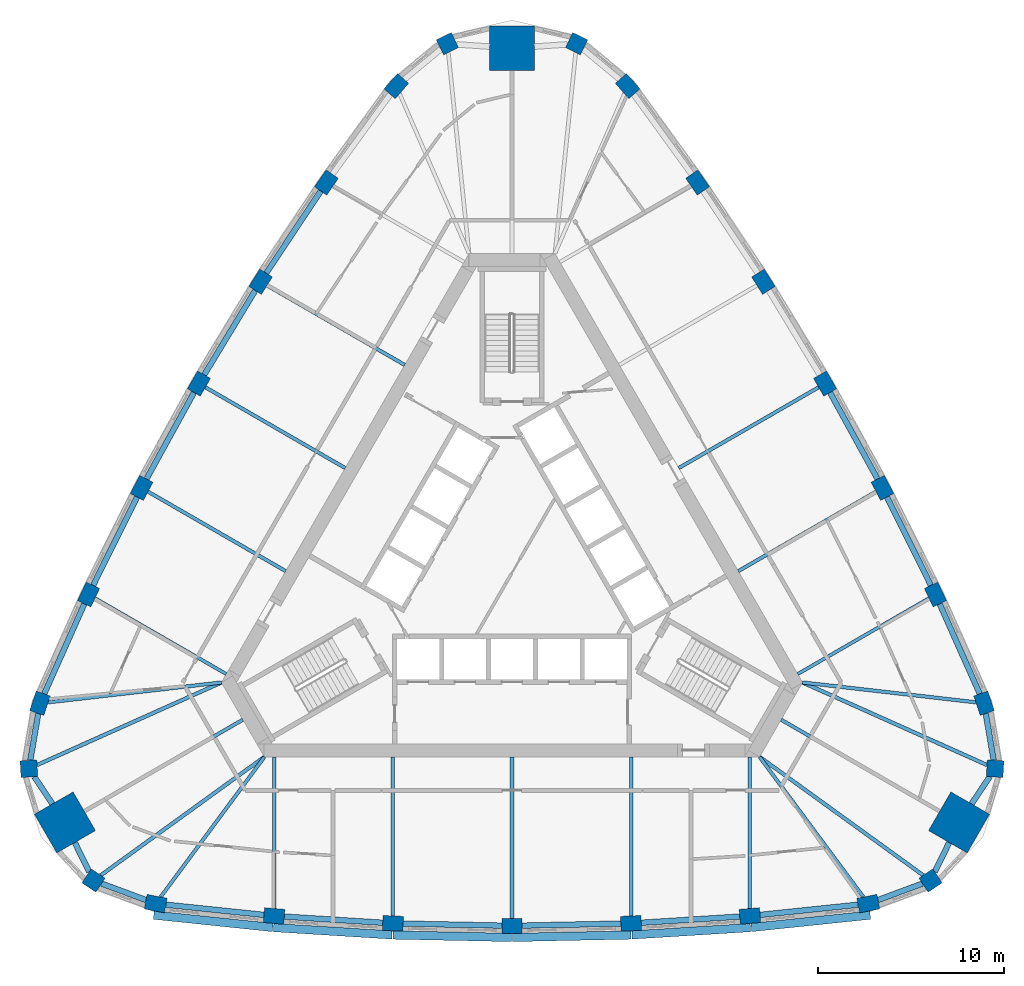
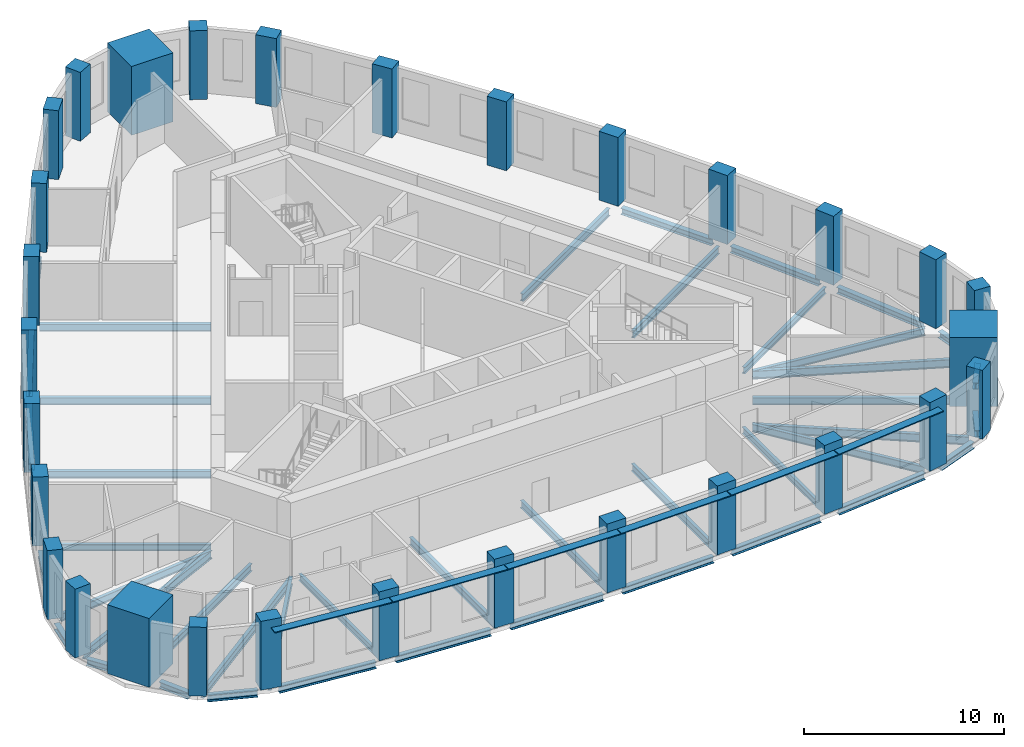
# One storey, part 1 of 10: 44 beams, 30 columns, 6 members.
"""IFC4 building model written with IfcOpenShell, lengths in metres."""

from ifc_helpers import new_model, si_unit, direction, frame, origin, origin_2d, place, context, subcontext, project, spatial, rectangle, i_section, extrude, material, material_profile, profile_set, type_object, element, save


model = new_model("IFC4")

# Units and contexts
model_context = context("Model", 3, precision=1e-05, world=origin(), true_north=direction((0.0, 1.0)))
body_context = subcontext(model_context, "Body", "Model", "MODEL_VIEW")
ifc_project = project(units=[si_unit("LENGTHUNIT", "METRE"), si_unit("AREAUNIT", "SQUARE_METRE"), si_unit("VOLUMEUNIT", "CUBIC_METRE"), si_unit("PLANEANGLEUNIT", "RADIAN"), si_unit("MASSUNIT", "GRAM", prefix="KILO")], contexts=[model_context])

# Site, building, storey
site_placement = place(None, origin())
site = spatial("IfcSite", under=ifc_project, at=site_placement, CompositionType="ELEMENT")
building_placement = place(site_placement, origin())
building = spatial("IfcBuilding", under=site, at=building_placement, Name="Mestral Congress Tower", CompositionType="ELEMENT")
storey_placement = place(building_placement, frame((0.0, 0.0, 239.39990234375)))
storey = spatial("IfcBuildingStorey", under=building, at=storey_placement, Name="L56", CompositionType="ELEMENT", Elevation=239.39990234375)

# Columns
ifc_material_1 = material(Name="Concrete C60/75", Category="concrete")
ifc_material_profile_1 = material_profile(ifc_material_1, rectangle(XDim=1.10009765625, YDim=0.800048828125, at=origin_2d()), Name="RC 1100x800")
ifc_profile_set_1 = profile_set([ifc_material_profile_1], Name="Concrete C60/75")
column_type_1 = type_object("IfcColumnType", Name="Column RC 1100x800 C60/75", PredefinedType="COLUMN", material=ifc_profile_set_1)
for number, where, z_axis, x_axis, name in (
    (1, (-19.150390625, -18.23681640625, 0.0), (0.0, 0.0, 1.0), (0.981324571854, -0.192359259395, 0.0), "COL-L56-C4-S00"),
    (2, (-12.785400390625, -18.899658203125, 0.0), (0.0, 0.0, 1.0), (0.996556680667, -0.082914306473, 0.0), "COL-L56-C4-S01"),
    (3, (-6.398193359375, -19.2978515625, 0.0), (0.0, 0.0, 1.0), (0.999138835542, -0.041492015025, 0.0), "COL-L56-C4-S02"),
    (4, (0.0, -19.4306640625, 0.0), (0.0, 0.0, 1.0), (1.0, 0.0, 0.0), "COL-L56-C4-S03"),
    (5, (6.398193359375, -19.2978515625, 0.0), (0.0, 0.0, 1.0), (0.999138835542, 0.041492015025, 0.0), "COL-L56-C4-S04"),
    (6, (12.785400390625, -18.899658203125, 0.0), (0.0, 0.0, 1.0), (0.996556680667, 0.082914306473, 0.0), "COL-L56-C4-S05"),
    (7, (19.150390625, -18.23681640625, 0.0), (0.0, 0.0, 1.0), (0.981324571854, 0.192359259395, 0.0), "COL-L56-C4-S06"),
    (8, (25.368896484375, -7.46630859375, 0.0), (0.0, 0.0, 1.0), (-0.324074280638, 0.946031638281, 0.0), "COL-L56-C4-E00"),
    (9, (22.76025390625, -1.62255859375, 0.0), (0.0, 0.0, 1.0), (-0.426472444591, 0.904500555005, 0.0), "COL-L56-C4-E01"),
    (10, (19.91162109375, 4.10791015625, 0.0), (0.0, 0.0, 1.0), (-0.463636278705, 0.886025621, 0.0), "COL-L56-C4-E02"),
    (11, (16.827392578125, 9.71533203125, 0.0), (0.0, 0.0, 1.0), (-0.5, 0.866025403784, 0.0), "COL-L56-C4-E03"),
    (12, (13.51318359375, 15.18994140625, 0.0), (0.0, 0.0, 1.0), (-0.535502556837, 0.844533605975, 0.0), "COL-L56-C4-E04"),
    (13, (9.974853515625, 20.522216796875, 0.0), (0.0, 0.0, 1.0), (-0.570084236076, 0.821586248532, 0.0), "COL-L56-C4-E05"),
    (14, (6.218505859375, 25.703125, 0.0), (0.0, 0.0, 1.0), (-0.657250291216, 0.753672378886, 0.0), "COL-L56-C4-E06"),
    (15, (-6.218505859375, 25.703125, 0.0), (0.0, 0.0, 1.0), (-0.657250291216, -0.753672378886, 0.0), "COL-L56-C4-W00"),
    (16, (-9.974853515625, 20.522216796875, 0.0), (0.0, 0.0, 1.0), (-0.570084236076, -0.821586248532, 0.0), "COL-L56-C4-W01"),
    (17, (-13.51318359375, 15.18994140625, 0.0), (0.0, 0.0, 1.0), (-0.535502556837, -0.844533605975, 0.0), "COL-L56-C4-W02"),
    (18, (-16.827392578125, 9.71533203125, 0.0), (0.0, 0.0, 1.0), (-0.5, -0.866025403784, 0.0), "COL-L56-C4-W03"),
    (19, (-19.91162109375, 4.10791015625, 0.0), (0.0, 0.0, 1.0), (-0.463636278705, -0.886025621, 0.0), "COL-L56-C4-W04"),
    (20, (-22.76025390625, -1.62255859375, 0.0), (0.0, 0.0, 1.0), (-0.426472444591, -0.904500555005, 0.0), "COL-L56-C4-W05"),
    (21, (-25.368896484375, -7.46630859375, 0.0), (0.0, 0.0, 1.0), (-0.324074280638, -0.946031638281, 0.0), "COL-L56-C4-W06"),
):
    element("IfcColumn", number, at=place(storey_placement, frame(where, z_axis=z_axis, x_axis=x_axis)), inside=storey, type_object=column_type_1, Name=name, PredefinedType="COLUMN", context=body_context, shape_type="SweptSolid", body=[
        extrude(rectangle(XDim=1.10009765625, YDim=0.800048828125, at=origin_2d()), origin(), (0.0, 0.0, 1.0), 4.2001953125),
    ])
ifc_material_profile_2 = material_profile(ifc_material_1, rectangle(XDim=0.89990234375, YDim=0.89990234375, at=origin_2d()), Name="RC 900x900")
ifc_profile_set_2 = profile_set([ifc_material_profile_2], Name="Concrete C60/75")
column_type_2 = type_object("IfcColumnType", Name="Column RC 900x900 C60/75", PredefinedType="COLUMN", material=ifc_profile_set_2)
for number, where, z_axis, x_axis, name in (
    (22, (22.494384765625, -16.99658203125, 0.0), (0.0, 0.0, 1.0), (0.833238868178, 0.552913183563, 0.0), "COL-L56-C4-SE1"),
    (23, (25.966552734375, -10.982421875, 0.0), (0.0, 0.0, 1.0), (0.062217428964, 0.998062619044, 0.0), "COL-L56-C4-SE3"),
    (24, (3.47216796875, 27.97900390625, 0.0), (0.0, 0.0, 1.0), (-0.895456297142, 0.445149435481, 0.0), "COL-L56-C4-N1"),
    (25, (-3.47216796875, 27.97900390625, 0.0), (0.0, 0.0, 1.0), (-0.895456297142, -0.445149435481, 0.0), "COL-L56-C4-N3"),
    (26, (-25.966552734375, -10.982421875, 0.0), (0.0, 0.0, 1.0), (0.062217428964, -0.998062619044, 0.0), "COL-L56-C4-SW1"),
    (27, (-22.494384765625, -16.99658203125, 0.0), (0.0, 0.0, 1.0), (0.833238868178, -0.552913183563, 0.0), "COL-L56-C4-SW3"),
):
    element("IfcColumn", number, at=place(storey_placement, frame(where, z_axis=z_axis, x_axis=x_axis)), inside=storey, type_object=column_type_2, Name=name, PredefinedType="COLUMN", context=body_context, shape_type="SweptSolid", body=[
        extrude(rectangle(XDim=0.89990234375, YDim=0.89990234375, at=origin_2d()), origin(), (0.0, 0.0, 1.0), 4.2001953125),
    ])
ifc_material_2 = material(Name="Concrete C70/85", Category="concrete")
ifc_material_profile_3 = material_profile(ifc_material_2, rectangle(XDim=2.39990234375, YDim=2.39990234375, at=origin_2d()), Name="RC 2400x2400")
ifc_profile_set_3 = profile_set([ifc_material_profile_3], Name="Concrete C70/85")
column_type_3 = type_object("IfcColumnType", Name="Mega column RC 2400x2400 C70/85", PredefinedType="COLUMN", material=ifc_profile_set_3)
for number, where, z_axis, x_axis, name in (
    (28, (24.02734375, -13.872314453125, 0.0), (0.0, 0.0, 1.0), (0.866025403784, -0.5, 0.0), "COL-L56-PY4-SE"),
    (29, (0.0, 27.744384765625, 0.0), (0.0, 0.0, 1.0), (0.0, 1.0, 0.0), "COL-L56-PY4-N"),
    (30, (-24.02734375, -13.872314453125, 0.0), (0.0, 0.0, 1.0), (-0.866025403784, -0.5, 0.0), "COL-L56-PY4-SW"),
):
    element("IfcColumn", number, at=place(storey_placement, frame(where, z_axis=z_axis, x_axis=x_axis)), inside=storey, type_object=column_type_3, Name=name, PredefinedType="COLUMN", context=body_context, shape_type="SweptSolid", body=[
        extrude(rectangle(XDim=2.39990234375, YDim=2.39990234375, at=origin_2d()), origin(), (0.0, 0.0, 1.0), 4.2001953125),
    ])

# Members
ifc_material_3 = material(Name="Glazed ceramic", Category="masonry")
ifc_material_profile_4 = material_profile(ifc_material_3, rectangle(XDim=0.449951171875, YDim=0.06005859375, at=origin_2d()), Name="Ceramic blade 450 x 60")
ifc_profile_set_4 = profile_set([ifc_material_profile_4], Name="Glazed ceramic")
member_type = type_object("IfcMemberType", Name="Facade sunshade blade 450 x 60", PredefinedType="USERDEFINED", material=ifc_profile_set_4)
member_1_placement = place(storey_placement, frame((-19.251708984375, -18.8544921875, 3.68017578125), z_axis=(0.994617919471, -0.103610782581, 0.0), x_axis=(0.103610782581, 0.994617919471, 0.0)))
element("IfcMember", 31, at=member_1_placement, inside=storey, type_object=member_type, Name="Sunshade F0-00", ObjectType="SUNSHADE", PredefinedType="USERDEFINED", context=body_context, shape_type="SweptSolid", body=[
    extrude(rectangle(XDim=0.449951171875, YDim=0.06005859375, at=origin_2d()), origin(), (0.0, 0.0, 1.0), 6.42578125),
])
member_2_placement = place(storey_placement, frame((-12.8134765625, -19.524169921875, 3.68017578125), z_axis=(0.99806373271, -0.062199561482, 0.0), x_axis=(0.062199561482, 0.99806373271, 0.0)))
element("IfcMember", 32, at=member_2_placement, inside=storey, type_object=member_type, Name="Sunshade F0-01", ObjectType="SUNSHADE", PredefinedType="USERDEFINED", context=body_context, shape_type="SweptSolid", body=[
    extrude(rectangle(XDim=0.449951171875, YDim=0.06005859375, at=origin_2d()), origin(), (0.0, 0.0, 1.0), 6.37841796875),
])
for number, where, z_axis, x_axis, name in (
    (33, (-6.400390625, -19.9228515625, 3.68017578125), (0.99978476383, -0.0207467109, 0.0), (0.0207467109, 0.99978476383, 0.0), "Sunshade F0-02"),
    (34, (0.023681640625, -20.05517578125, 3.68017578125), (0.99978476383, 0.0207467109, 0.0), (-0.0207467109, 0.99978476383, 0.0), "Sunshade F0-03"),
):
    element("IfcMember", number, at=place(storey_placement, frame(where, z_axis=z_axis, x_axis=x_axis)), inside=storey, type_object=member_type, Name=name, ObjectType="SUNSHADE", PredefinedType="USERDEFINED", context=body_context, shape_type="SweptSolid", body=[
        extrude(rectangle(XDim=0.449951171875, YDim=0.06005859375, at=origin_2d()), origin(), (0.0, 0.0, 1.0), 6.378173828125),
    ])
member_3_placement = place(storey_placement, frame((6.447509765625, -19.9208984375, 3.68017578125), z_axis=(0.99806373271, 0.062199561482, 0.0), x_axis=(-0.062199561482, 0.99806373271, 0.0)))
element("IfcMember", 35, at=member_3_placement, inside=storey, type_object=member_type, Name="Sunshade F0-04", ObjectType="SUNSHADE", PredefinedType="USERDEFINED", context=body_context, shape_type="SweptSolid", body=[
    extrude(rectangle(XDim=0.449951171875, YDim=0.06005859375, at=origin_2d()), origin(), (0.0, 0.0, 1.0), 6.37841796875),
])
member_4_placement = place(storey_placement, frame((12.860595703125, -19.520263671875, 3.68017578125), z_axis=(0.994617919471, 0.103610782581, 0.0), x_axis=(-0.103610782581, 0.994617919471, 0.0)))
element("IfcMember", 36, at=member_4_placement, inside=storey, type_object=member_type, Name="Sunshade F0-05", ObjectType="SUNSHADE", PredefinedType="USERDEFINED", context=body_context, shape_type="SweptSolid", body=[
    extrude(rectangle(XDim=0.449951171875, YDim=0.06005859375, at=origin_2d()), origin(), (0.0, 0.0, 1.0), 6.42578125),
])

# Beams
ifc_material_4 = material(Name="Steel S355", Category="steel")
ifc_material_profile_5 = material_profile(ifc_material_4, i_section(OverallWidth=0.179931640625, OverallDepth=0.39990234375, WebThickness=0.008544921875, FlangeThickness=0.013427734375, FilletRadius=0.02099609375, at=origin_2d()), Name="IPE 400")
ifc_profile_set_5 = profile_set([ifc_material_profile_5], Name="Steel S355")
beam_type_1 = type_object("IfcBeamType", Name="Floor beam IPE 400 S355", PredefinedType="BEAM", material=ifc_profile_set_5)
for number, where, z_axis, x_axis, name in (
    (37, (-12.785400390625, -18.498291015625, -0.449951171875), (0.0, 1.0, 0.0), (-1.0, 0.0, 0.0), "BM-L56-RB4-S01"),
    (38, (12.785400390625, -18.498291015625, -0.449951171875), (0.0, 1.0, 0.0), (-1.0, 0.0, 0.0), "BM-L56-RB4-S05"),
):
    element("IfcBeam", number, at=place(storey_placement, frame(where, z_axis=z_axis, x_axis=x_axis)), inside=storey, type_object=beam_type_1, Name=name, PredefinedType="BEAM", context=body_context, shape_type="SweptSolid", body=[
        extrude(i_section(OverallWidth=0.179931640625, OverallDepth=0.39990234375, WebThickness=0.008544921875, FlangeThickness=0.013427734375, FilletRadius=0.02099609375, at=origin_2d()), origin(), (0.0, 0.0, 1.0), 8.148193359375),
    ])
for number, where, z_axis, x_axis, name in (
    (39, (22.41259765625, -1.8232421875, -0.449951171875), (-0.866021929094, -0.500006018292, 0.0), (0.500006018292, -0.866021929094, 0.0), "BM-L56-RB4-E01"),
    (40, (-22.41259765625, -1.8232421875, -0.449951171875), (0.866021929094, -0.500006018292, 0.0), (0.500006018292, 0.866021929094, 0.0), "BM-L56-RB4-W05"),
):
    element("IfcBeam", number, at=place(storey_placement, frame(where, z_axis=z_axis, x_axis=x_axis)), inside=storey, type_object=beam_type_1, Name=name, PredefinedType="BEAM", context=body_context, shape_type="SweptSolid", body=[
        extrude(i_section(OverallWidth=0.179931640625, OverallDepth=0.39990234375, WebThickness=0.008544921875, FlangeThickness=0.013427734375, FilletRadius=0.02099609375, at=origin_2d()), origin(), (0.0, 0.0, 1.0), 8.1484375),
    ])
ifc_material_profile_6 = material_profile(ifc_material_4, i_section(OverallWidth=0.18994140625, OverallDepth=0.449951171875, WebThickness=0.009521484375, FlangeThickness=0.0146484375, FilletRadius=0.02099609375, at=origin_2d()), Name="IPE 450")
ifc_profile_set_6 = profile_set([ifc_material_profile_6], Name="Steel S355")
beam_type_2 = type_object("IfcBeamType", Name="Floor beam IPE 450 S355", PredefinedType="BEAM", material=ifc_profile_set_6)
beam_1_placement = place(storey_placement, frame((-18.88671875, -17.880859375, -0.474853515625), z_axis=(0.595263059859, 0.803530888994, 0.0), x_axis=(-0.803530888994, 0.595263059859, 0.0)))
element("IfcBeam", 41, at=beam_1_placement, inside=storey, type_object=beam_type_2, Name="BM-L56-RB4-S00", PredefinedType="BEAM", context=body_context, shape_type="SweptSolid", body=[
    extrude(i_section(OverallWidth=0.18994140625, OverallDepth=0.449951171875, WebThickness=0.009521484375, FlangeThickness=0.0146484375, FilletRadius=0.02099609375, at=origin_2d()), origin(), (0.0, 0.0, 1.0), 9.3720703125),
])
beam_2_placement = place(storey_placement, frame((-6.398193359375, -18.8974609375, -0.474853515625), z_axis=(0.0, 1.0, 0.0), x_axis=(-1.0, 0.0, 0.0)))
element("IfcBeam", 42, at=beam_2_placement, inside=storey, type_object=beam_type_2, Name="BM-L56-RB4-S02", PredefinedType="BEAM", context=body_context, shape_type="SweptSolid", body=[
    extrude(i_section(OverallWidth=0.18994140625, OverallDepth=0.449951171875, WebThickness=0.009521484375, FlangeThickness=0.0146484375, FilletRadius=0.02099609375, at=origin_2d()), origin(), (0.0, 0.0, 1.0), 8.54736328125),
])
beam_3_placement = place(storey_placement, frame((0.0, -19.030517578125, -0.474853515625), z_axis=(0.0, 1.0, 0.0), x_axis=(-1.0, 0.0, 0.0)))
element("IfcBeam", 43, at=beam_3_placement, inside=storey, type_object=beam_type_2, Name="BM-L56-RB4-S03", PredefinedType="BEAM", context=body_context, shape_type="SweptSolid", body=[
    extrude(i_section(OverallWidth=0.18994140625, OverallDepth=0.449951171875, WebThickness=0.009521484375, FlangeThickness=0.0146484375, FilletRadius=0.02099609375, at=origin_2d()), origin(), (0.0, 0.0, 1.0), 8.680419921875),
])
beam_4_placement = place(storey_placement, frame((6.398193359375, -18.8974609375, -0.474853515625), z_axis=(0.0, 1.0, 0.0), x_axis=(-1.0, 0.0, 0.0)))
element("IfcBeam", 44, at=beam_4_placement, inside=storey, type_object=beam_type_2, Name="BM-L56-RB4-S04", PredefinedType="BEAM", context=body_context, shape_type="SweptSolid", body=[
    extrude(i_section(OverallWidth=0.18994140625, OverallDepth=0.449951171875, WebThickness=0.009521484375, FlangeThickness=0.0146484375, FilletRadius=0.02099609375, at=origin_2d()), origin(), (0.0, 0.0, 1.0), 8.54736328125),
])
beam_5_placement = place(storey_placement, frame((18.88671875, -17.880859375, -0.474853515625), z_axis=(-0.595263059859, 0.803530888994, 0.0), x_axis=(-0.803530888994, -0.595263059859, 0.0)))
element("IfcBeam", 45, at=beam_5_placement, inside=storey, type_object=beam_type_2, Name="BM-L56-RB4-S06", PredefinedType="BEAM", context=body_context, shape_type="SweptSolid", body=[
    extrude(i_section(OverallWidth=0.18994140625, OverallDepth=0.449951171875, WebThickness=0.009521484375, FlangeThickness=0.0146484375, FilletRadius=0.02099609375, at=origin_2d()), origin(), (0.0, 0.0, 1.0), 9.3720703125),
])
beam_6_placement = place(storey_placement, frame((22.98828125, -13.272216796875, -0.474853515625), z_axis=(-0.866021631874, 0.500006533084, 0.0), x_axis=(-0.500006533084, -0.866021631874, 0.0)))
element("IfcBeam", 46, at=beam_6_placement, inside=storey, type_object=beam_type_2, Name="BM-L56-RB4-SE", PredefinedType="BEAM", context=body_context, shape_type="SweptSolid", body=[
    extrude(i_section(OverallWidth=0.18994140625, OverallDepth=0.449951171875, WebThickness=0.009521484375, FlangeThickness=0.0146484375, FilletRadius=0.02099609375, at=origin_2d()), origin(), (0.0, 0.0, 1.0), 9.844482421875),
])
beam_7_placement = place(storey_placement, frame((24.9287109375, -7.416015625, -0.474853515625), z_axis=(-0.99351166529, 0.11373025513, 0.0), x_axis=(-0.11373025513, -0.99351166529, 0.0)))
element("IfcBeam", 47, at=beam_7_placement, inside=storey, type_object=beam_type_2, Name="BM-L56-RB4-E00", PredefinedType="BEAM", context=body_context, shape_type="SweptSolid", body=[
    extrude(i_section(OverallWidth=0.18994140625, OverallDepth=0.449951171875, WebThickness=0.009521484375, FlangeThickness=0.0146484375, FilletRadius=0.02099609375, at=origin_2d()), origin(), (0.0, 0.0, 1.0), 9.372314453125),
])
beam_8_placement = place(storey_placement, frame((19.564697265625, 3.90771484375, -0.474853515625), z_axis=(-0.866028621479, -0.499994426748, 0.0), x_axis=(0.499994426748, -0.866028621479, 0.0)))
element("IfcBeam", 48, at=beam_8_placement, inside=storey, type_object=beam_type_2, Name="BM-L56-RB4-E02", PredefinedType="BEAM", context=body_context, shape_type="SweptSolid", body=[
    extrude(i_section(OverallWidth=0.18994140625, OverallDepth=0.449951171875, WebThickness=0.009521484375, FlangeThickness=0.0146484375, FilletRadius=0.02099609375, at=origin_2d()), origin(), (0.0, 0.0, 1.0), 8.54736328125),
])
beam_9_placement = place(storey_placement, frame((16.48095703125, 9.515380859375, -0.474853515625), z_axis=(-0.866022596503, -0.500004862322, 0.0), x_axis=(0.500004862322, -0.866022596503, 0.0)))
element("IfcBeam", 49, at=beam_9_placement, inside=storey, type_object=beam_type_2, Name="BM-L56-RB4-E03", PredefinedType="BEAM", context=body_context, shape_type="SweptSolid", body=[
    extrude(i_section(OverallWidth=0.18994140625, OverallDepth=0.449951171875, WebThickness=0.009521484375, FlangeThickness=0.0146484375, FilletRadius=0.02099609375, at=origin_2d()), origin(), (0.0, 0.0, 1.0), 8.6806640625),
])
beam_10_placement = place(storey_placement, frame((-13.16650390625, 14.98974609375, -0.474853515625), z_axis=(0.866028621479, -0.499994426748, 0.0), x_axis=(0.499994426748, 0.866028621479, 0.0)))
element("IfcBeam", 50, at=beam_10_placement, inside=storey, type_object=beam_type_2, Name="BM-L56-RB4-W02", PredefinedType="BEAM", context=body_context, shape_type="SweptSolid", body=[
    extrude(i_section(OverallWidth=0.18994140625, OverallDepth=0.449951171875, WebThickness=0.009521484375, FlangeThickness=0.0146484375, FilletRadius=0.02099609375, at=origin_2d()), origin(), (0.0, 0.0, 1.0), 8.54736328125),
])
beam_11_placement = place(storey_placement, frame((-16.48095703125, 9.515380859375, -0.474853515625), z_axis=(0.866022596503, -0.500004862322, 0.0), x_axis=(0.500004862322, 0.866022596503, 0.0)))
element("IfcBeam", 51, at=beam_11_placement, inside=storey, type_object=beam_type_2, Name="BM-L56-RB4-W03", PredefinedType="BEAM", context=body_context, shape_type="SweptSolid", body=[
    extrude(i_section(OverallWidth=0.18994140625, OverallDepth=0.449951171875, WebThickness=0.009521484375, FlangeThickness=0.0146484375, FilletRadius=0.02099609375, at=origin_2d()), origin(), (0.0, 0.0, 1.0), 8.6806640625),
])
beam_12_placement = place(storey_placement, frame((-19.564697265625, 3.90771484375, -0.474853515625), z_axis=(0.866028621479, -0.499994426748, 0.0), x_axis=(0.499994426748, 0.866028621479, 0.0)))
element("IfcBeam", 52, at=beam_12_placement, inside=storey, type_object=beam_type_2, Name="BM-L56-RB4-W04", PredefinedType="BEAM", context=body_context, shape_type="SweptSolid", body=[
    extrude(i_section(OverallWidth=0.18994140625, OverallDepth=0.449951171875, WebThickness=0.009521484375, FlangeThickness=0.0146484375, FilletRadius=0.02099609375, at=origin_2d()), origin(), (0.0, 0.0, 1.0), 8.54736328125),
])
beam_13_placement = place(storey_placement, frame((-24.9287109375, -7.416015625, -0.474853515625), z_axis=(0.99351166529, 0.11373025513, 0.0), x_axis=(-0.11373025513, 0.99351166529, 0.0)))
element("IfcBeam", 53, at=beam_13_placement, inside=storey, type_object=beam_type_2, Name="BM-L56-RB4-W06", PredefinedType="BEAM", context=body_context, shape_type="SweptSolid", body=[
    extrude(i_section(OverallWidth=0.18994140625, OverallDepth=0.449951171875, WebThickness=0.009521484375, FlangeThickness=0.0146484375, FilletRadius=0.02099609375, at=origin_2d()), origin(), (0.0, 0.0, 1.0), 9.372314453125),
])
beam_14_placement = place(storey_placement, frame((-22.98828125, -13.272216796875, -0.474853515625), z_axis=(0.866021631874, 0.500006533084, 0.0), x_axis=(-0.500006533084, 0.866021631874, 0.0)))
element("IfcBeam", 54, at=beam_14_placement, inside=storey, type_object=beam_type_2, Name="BM-L56-RB4-SW", PredefinedType="BEAM", context=body_context, shape_type="SweptSolid", body=[
    extrude(i_section(OverallWidth=0.18994140625, OverallDepth=0.449951171875, WebThickness=0.009521484375, FlangeThickness=0.0146484375, FilletRadius=0.02099609375, at=origin_2d()), origin(), (0.0, 0.0, 1.0), 9.844482421875),
])
ifc_material_profile_7 = material_profile(ifc_material_4, i_section(OverallWidth=0.199951171875, OverallDepth=0.5, WebThickness=0.01025390625, FlangeThickness=0.01611328125, FilletRadius=0.02099609375, at=origin_2d()), Name="IPE 500")
ifc_profile_set_7 = profile_set([ifc_material_profile_7], Name="Steel S355")
beam_type_3 = type_object("IfcBeamType", Name="Floor beam IPE 500 S355", PredefinedType="BEAM", material=ifc_profile_set_7)
beam_15_placement = place(storey_placement, frame((22.10498046875, -16.71484375, -0.5), z_axis=(-0.810186242112, 0.586172545496, 0.0), x_axis=(-0.586172545496, -0.810186242112, 0.0)))
element("IfcBeam", 55, at=beam_15_placement, inside=storey, type_object=beam_type_3, Name="BM-L56-RB4-SE1", PredefinedType="BEAM", context=body_context, shape_type="SweptSolid", body=[
    extrude(i_section(OverallWidth=0.199951171875, OverallDepth=0.5, WebThickness=0.01025390625, FlangeThickness=0.01611328125, FilletRadius=0.02099609375, at=origin_2d()), origin(), (0.0, 0.0, 1.0), 10.858154296875),
])
for number, where, z_axis, x_axis, name in (
    (56, (25.528076171875, -10.7861328125, -0.5), (-0.912742142995, 0.408536143323, 0.0), (-0.408536143323, -0.912742142995, 0.0), "BM-L56-RB4-SE3"),
    (57, (-25.528076171875, -10.7861328125, -0.5), (0.912742142995, 0.408536143323, 0.0), (-0.408536143323, 0.912742142995, 0.0), "BM-L56-RB4-SW1"),
):
    element("IfcBeam", number, at=place(storey_placement, frame(where, z_axis=z_axis, x_axis=x_axis)), inside=storey, type_object=beam_type_3, Name=name, PredefinedType="BEAM", context=body_context, shape_type="SweptSolid", body=[
        extrude(i_section(OverallWidth=0.199951171875, OverallDepth=0.5, WebThickness=0.01025390625, FlangeThickness=0.01611328125, FilletRadius=0.02099609375, at=origin_2d()), origin(), (0.0, 0.0, 1.0), 10.8583984375),
    ])
beam_16_placement = place(storey_placement, frame((-22.10498046875, -16.71484375, -0.5), z_axis=(0.810186242112, 0.586172545496, 0.0), x_axis=(-0.586172545496, 0.810186242112, 0.0)))
element("IfcBeam", 58, at=beam_16_placement, inside=storey, type_object=beam_type_3, Name="BM-L56-RB4-SW3", PredefinedType="BEAM", context=body_context, shape_type="SweptSolid", body=[
    extrude(i_section(OverallWidth=0.199951171875, OverallDepth=0.5, WebThickness=0.01025390625, FlangeThickness=0.01611328125, FilletRadius=0.02099609375, at=origin_2d()), origin(), (0.0, 0.0, 1.0), 10.858154296875),
])
ifc_material_profile_8 = material_profile(ifc_material_4, i_section(OverallWidth=0.300048828125, OverallDepth=0.389892578125, WebThickness=0.010986328125, FlangeThickness=0.01904296875, FilletRadius=0.027099609375, at=origin_2d()), Name="HEA 400")
ifc_profile_set_8 = profile_set([ifc_material_profile_8], Name="Steel S355")
beam_type_4 = type_object("IfcBeamType", Name="Spandrel beam HEA 400 S355", PredefinedType="BEAM", material=ifc_profile_set_8)
beam_17_placement = place(storey_placement, frame((-18.60107421875, -18.2939453125, -0.44482421875), z_axis=(0.994618013093, -0.103609883848, 0.0), x_axis=(0.103609883848, 0.994618013093, 0.0)))
element("IfcBeam", 59, at=beam_17_placement, inside=storey, type_object=beam_type_4, Name="SP-L56-SB4-S00", PredefinedType="BEAM", context=body_context, shape_type="SweptSolid", body=[
    extrude(i_section(OverallWidth=0.300048828125, OverallDepth=0.389892578125, WebThickness=0.010986328125, FlangeThickness=0.01904296875, FilletRadius=0.027099609375, at=origin_2d()), origin(), (0.0, 0.0, 1.0), 5.297119140625),
])
for number, where, z_axis, x_axis, name in (
    (60, (-12.236328125, -18.933837890625, -0.44482421875), (0.998061173507, -0.062240613248, 0.0), (0.062240613248, 0.998061173507, 0.0), "SP-L56-SB4-S01"),
    (61, (-5.84814453125, -19.309326171875, -0.44482421875), (0.999785070758, -0.020731914743, 0.0), (0.020731914743, 0.999785070758, 0.0), "SP-L56-SB4-S02"),
    (62, (0.550048828125, -19.419189453125, -0.44482421875), (0.999785070758, 0.020731914743, 0.0), (-0.020731914743, 0.999785070758, 0.0), "SP-L56-SB4-S03"),
    (63, (6.947265625, -19.263671875, -0.44482421875), (0.998061173507, 0.062240613248, 0.0), (-0.062240613248, 0.998061173507, 0.0), "SP-L56-SB4-S04"),
):
    element("IfcBeam", number, at=place(storey_placement, frame(where, z_axis=z_axis, x_axis=x_axis)), inside=storey, type_object=beam_type_4, Name=name, PredefinedType="BEAM", context=body_context, shape_type="SweptSolid", body=[
        extrude(i_section(OverallWidth=0.300048828125, OverallDepth=0.389892578125, WebThickness=0.010986328125, FlangeThickness=0.01904296875, FilletRadius=0.027099609375, at=origin_2d()), origin(), (0.0, 0.0, 1.0), 5.29931640625),
    ])
beam_18_placement = place(storey_placement, frame((13.33251953125, -18.8427734375, -0.44482421875), z_axis=(0.994618013093, 0.103609883848, 0.0), x_axis=(-0.103609883848, 0.994618013093, 0.0)))
element("IfcBeam", 64, at=beam_18_placement, inside=storey, type_object=beam_type_4, Name="SP-L56-SB4-S05", PredefinedType="BEAM", context=body_context, shape_type="SweptSolid", body=[
    extrude(i_section(OverallWidth=0.300048828125, OverallDepth=0.389892578125, WebThickness=0.010986328125, FlangeThickness=0.01904296875, FilletRadius=0.027099609375, at=origin_2d()), origin(), (0.0, 0.0, 1.0), 5.297119140625),
])
beam_19_placement = place(storey_placement, frame((19.6728515625, -18.04296875, -0.44482421875), z_axis=(0.937591421971, 0.347738875374, 0.0), x_axis=(-0.347738875374, 0.937591421971, 0.0)))
element("IfcBeam", 65, at=beam_19_placement, inside=storey, type_object=beam_type_4, Name="SP-L56-SB4-S06", PredefinedType="BEAM", context=body_context, shape_type="SweptSolid", body=[
    extrude(i_section(OverallWidth=0.300048828125, OverallDepth=0.389892578125, WebThickness=0.010986328125, FlangeThickness=0.01904296875, FilletRadius=0.027099609375, at=origin_2d()), origin(), (0.0, 0.0, 1.0), 2.547119140625),
])
for number, where, z_axis, x_axis, name in (
    (66, (22.723876953125, -16.528564453125, -0.44482421875), (0.440528581483, 0.897738586058, 0.0), (-0.897738586058, 0.440528581483, 0.0), "SP-L56-SB4-SE1"),
    (67, (24.697509765625, -12.87353515625, -0.44482421875), (0.557295931564, 0.830313943435, 0.0), (-0.830313943435, 0.557295931564, 0.0), "SP-L56-SB4-SE"),
):
    element("IfcBeam", number, at=place(storey_placement, frame(where, z_axis=z_axis, x_axis=x_axis)), inside=storey, type_object=beam_type_4, Name=name, PredefinedType="BEAM", context=body_context, shape_type="SweptSolid", body=[
        extrude(i_section(OverallWidth=0.300048828125, OverallDepth=0.389892578125, WebThickness=0.010986328125, FlangeThickness=0.01904296875, FilletRadius=0.027099609375, at=origin_2d()), origin(), (0.0, 0.0, 1.0), 1.75634765625),
    ])
beam_20_placement = place(storey_placement, frame((25.88916015625, -10.52685546875, -0.44482421875), z_axis=(-0.167630891496, 0.98584982843, 0.0), x_axis=(-0.98584982843, -0.167630891496, 0.0)))
element("IfcBeam", 68, at=beam_20_placement, inside=storey, type_object=beam_type_4, Name="SP-L56-SB4-SE3", PredefinedType="BEAM", context=body_context, shape_type="SweptSolid", body=[
    extrude(i_section(OverallWidth=0.300048828125, OverallDepth=0.389892578125, WebThickness=0.010986328125, FlangeThickness=0.01904296875, FilletRadius=0.027099609375, at=origin_2d()), origin(), (0.0, 0.0, 1.0), 2.54736328125),
])
beam_21_placement = place(storey_placement, frame((25.143798828125, -6.9619140625, -0.44482421875), z_axis=(-0.407626134336, 0.913148911518, 0.0), x_axis=(-0.913148911518, -0.407626134336, 0.0)))
element("IfcBeam", 69, at=beam_21_placement, inside=storey, type_object=beam_type_4, Name="SP-L56-SB4-E00", PredefinedType="BEAM", context=body_context, shape_type="SweptSolid", body=[
    extrude(i_section(OverallWidth=0.300048828125, OverallDepth=0.389892578125, WebThickness=0.010986328125, FlangeThickness=0.01904296875, FilletRadius=0.027099609375, at=origin_2d()), origin(), (0.0, 0.0, 1.0), 5.296875),
])
beam_22_placement = place(storey_placement, frame((22.515380859375, -1.1298828125, -0.44482421875), z_axis=(-0.445148375831, 0.895456823914, 0.0), x_axis=(-0.895456823914, -0.445148375831, 0.0)))
element("IfcBeam", 70, at=beam_22_placement, inside=storey, type_object=beam_type_4, Name="SP-L56-SB4-E01", PredefinedType="BEAM", context=body_context, shape_type="SweptSolid", body=[
    extrude(i_section(OverallWidth=0.300048828125, OverallDepth=0.389892578125, WebThickness=0.010986328125, FlangeThickness=0.01904296875, FilletRadius=0.027099609375, at=origin_2d()), origin(), (0.0, 0.0, 1.0), 5.299072265625),
])
beam_23_placement = place(storey_placement, frame((19.646484375, 4.58984375, -0.44482421875), z_axis=(-0.481918749772, 0.876215908677, 0.0), x_axis=(-0.876215908677, -0.481918749772, 0.0)))
element("IfcBeam", 71, at=beam_23_placement, inside=storey, type_object=beam_type_4, Name="SP-L56-SB4-E02", PredefinedType="BEAM", context=body_context, shape_type="SweptSolid", body=[
    extrude(i_section(OverallWidth=0.300048828125, OverallDepth=0.389892578125, WebThickness=0.010986328125, FlangeThickness=0.01904296875, FilletRadius=0.027099609375, at=origin_2d()), origin(), (0.0, 0.0, 1.0), 5.299560546875),
])
for number, where, z_axis, x_axis, name in (
    (72, (-10.279052734375, 20.063720703125, -0.44482421875), (-0.552934106774, -0.833224983762, 0.0), (0.833224983762, -0.552934106774, 0.0), "SP-L56-SB4-W01"),
    (73, (-13.798095703125, 14.71923828125, -0.44482421875), (-0.517865676042, -0.855461946306, 0.0), (0.855461946306, -0.517865676042, 0.0), "SP-L56-SB4-W02"),
):
    element("IfcBeam", number, at=place(storey_placement, frame(where, z_axis=z_axis, x_axis=x_axis)), inside=storey, type_object=beam_type_4, Name=name, PredefinedType="BEAM", context=body_context, shape_type="SweptSolid", body=[
        extrude(i_section(OverallWidth=0.300048828125, OverallDepth=0.389892578125, WebThickness=0.010986328125, FlangeThickness=0.01904296875, FilletRadius=0.027099609375, at=origin_2d()), origin(), (0.0, 0.0, 1.0), 5.29931640625),
    ])
beam_24_placement = place(storey_placement, frame((-17.092529296875, 9.2333984375, -0.44482421875), z_axis=(-0.481918749772, -0.876215908677, 0.0), x_axis=(0.876215908677, -0.481918749772, 0.0)))
element("IfcBeam", 74, at=beam_24_placement, inside=storey, type_object=beam_type_4, Name="SP-L56-SB4-W03", PredefinedType="BEAM", context=body_context, shape_type="SweptSolid", body=[
    extrude(i_section(OverallWidth=0.300048828125, OverallDepth=0.389892578125, WebThickness=0.010986328125, FlangeThickness=0.01904296875, FilletRadius=0.027099609375, at=origin_2d()), origin(), (0.0, 0.0, 1.0), 5.299560546875),
])
beam_25_placement = place(storey_placement, frame((-20.156494140625, 3.615234375, -0.44482421875), z_axis=(-0.445148375831, -0.895456823914, 0.0), x_axis=(0.895456823914, -0.445148375831, 0.0)))
element("IfcBeam", 75, at=beam_25_placement, inside=storey, type_object=beam_type_4, Name="SP-L56-SB4-W04", PredefinedType="BEAM", context=body_context, shape_type="SweptSolid", body=[
    extrude(i_section(OverallWidth=0.300048828125, OverallDepth=0.389892578125, WebThickness=0.010986328125, FlangeThickness=0.01904296875, FilletRadius=0.027099609375, at=origin_2d()), origin(), (0.0, 0.0, 1.0), 5.299072265625),
])
beam_26_placement = place(storey_placement, frame((-22.984619140625, -2.125, -0.44482421875), z_axis=(-0.407626134336, -0.913148911518, 0.0), x_axis=(0.913148911518, -0.407626134336, 0.0)))
element("IfcBeam", 76, at=beam_26_placement, inside=storey, type_object=beam_type_4, Name="SP-L56-SB4-W05", PredefinedType="BEAM", context=body_context, shape_type="SweptSolid", body=[
    extrude(i_section(OverallWidth=0.300048828125, OverallDepth=0.389892578125, WebThickness=0.010986328125, FlangeThickness=0.01904296875, FilletRadius=0.027099609375, at=origin_2d()), origin(), (0.0, 0.0, 1.0), 5.296875),
])
beam_27_placement = place(storey_placement, frame((-25.462158203125, -8.015625, -0.44482421875), z_axis=(-0.167630891496, -0.98584982843, 0.0), x_axis=(0.98584982843, -0.167630891496, 0.0)))
element("IfcBeam", 77, at=beam_27_placement, inside=storey, type_object=beam_type_4, Name="SP-L56-SB4-W06", PredefinedType="BEAM", context=body_context, shape_type="SweptSolid", body=[
    extrude(i_section(OverallWidth=0.300048828125, OverallDepth=0.389892578125, WebThickness=0.010986328125, FlangeThickness=0.01904296875, FilletRadius=0.027099609375, at=origin_2d()), origin(), (0.0, 0.0, 1.0), 2.54736328125),
])
for number, where, z_axis, x_axis, name in (
    (78, (-25.67626953125, -11.415283203125, -0.44482421875), (0.557295931564, -0.830313943435, 0.0), (0.830313943435, 0.557295931564, 0.0), "SP-L56-SB4-SW1"),
    (79, (-23.49755859375, -14.951904296875, -0.44482421875), (0.440528581483, -0.897738586058, 0.0), (0.897738586058, 0.440528581483, 0.0), "SP-L56-SB4-SW"),
):
    element("IfcBeam", number, at=place(storey_placement, frame(where, z_axis=z_axis, x_axis=x_axis)), inside=storey, type_object=beam_type_4, Name=name, PredefinedType="BEAM", context=body_context, shape_type="SweptSolid", body=[
        extrude(i_section(OverallWidth=0.300048828125, OverallDepth=0.389892578125, WebThickness=0.010986328125, FlangeThickness=0.01904296875, FilletRadius=0.027099609375, at=origin_2d()), origin(), (0.0, 0.0, 1.0), 1.75634765625),
    ])
beam_28_placement = place(storey_placement, frame((-22.06103515625, -17.1572265625, -0.44482421875), z_axis=(0.937591421971, -0.347738875374, 0.0), x_axis=(0.347738875374, 0.937591421971, 0.0)))
element("IfcBeam", 80, at=beam_28_placement, inside=storey, type_object=beam_type_4, Name="SP-L56-SB4-SW3", PredefinedType="BEAM", context=body_context, shape_type="SweptSolid", body=[
    extrude(i_section(OverallWidth=0.300048828125, OverallDepth=0.389892578125, WebThickness=0.010986328125, FlangeThickness=0.01904296875, FilletRadius=0.027099609375, at=origin_2d()), origin(), (0.0, 0.0, 1.0), 2.547119140625),
])

save(model, "model.ifc")
